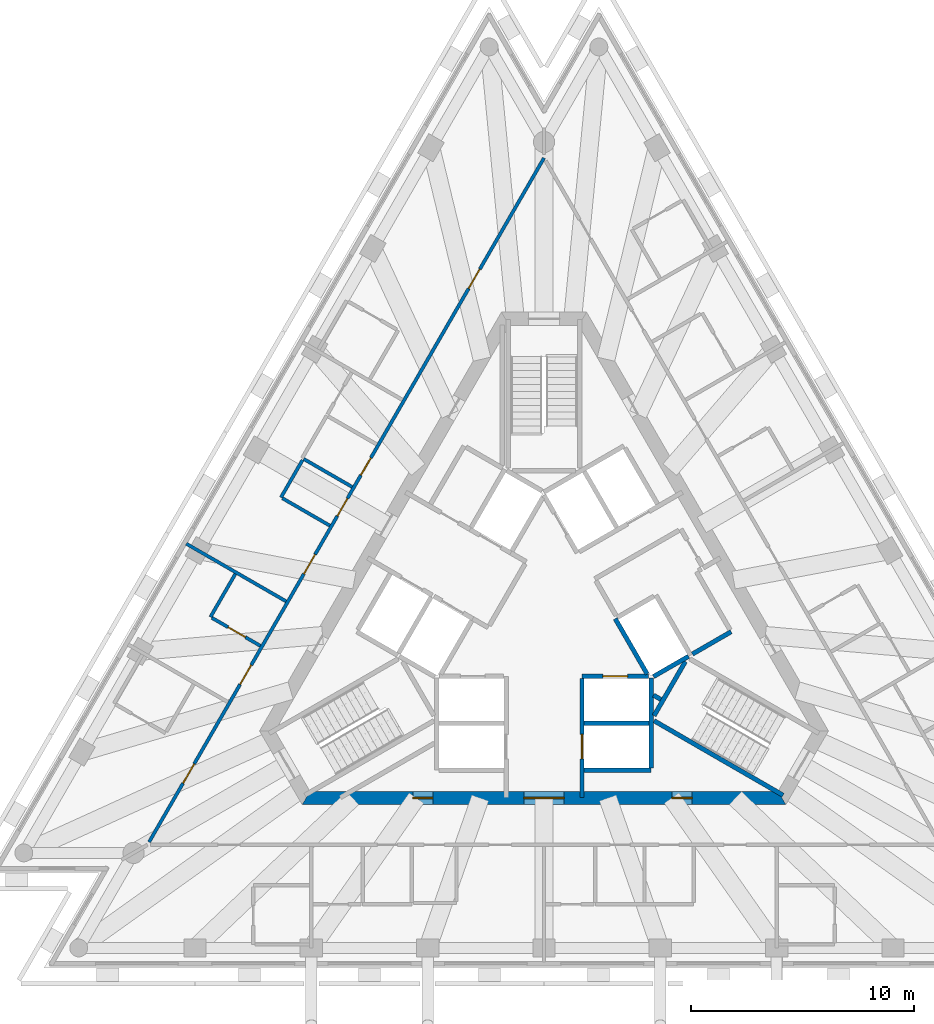
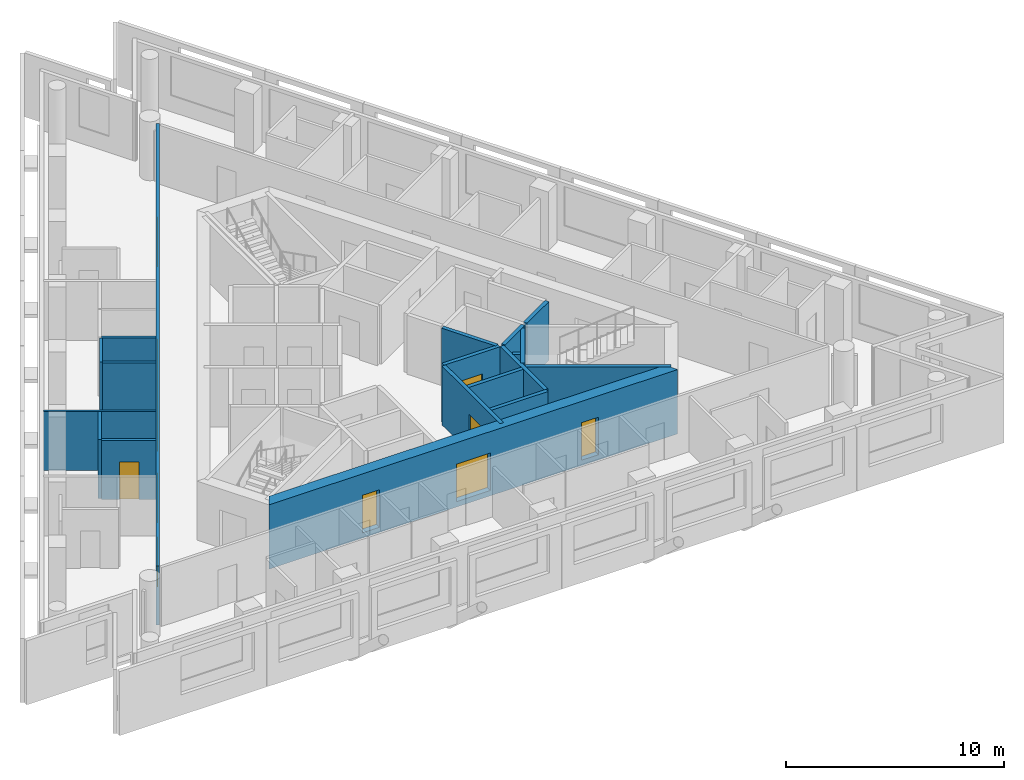
# One storey, part 4 of 10: 19 walls, 12 doors, 12 openings.
"""IFC4 building model written with IfcOpenShell, lengths in metres."""

from ifc_helpers import new_model, si_unit, direction, frame, frame_2d, origin, place, context, subcontext, project, spatial, polyline, rectangle, outline, extrude, material, layer, layer_set, type_object, element, fill, save


model = new_model("IFC4")

# Units and contexts
model_context = context("Model", 3, precision=1e-05, world=origin(), true_north=direction((0.0, 1.0)))
body_context = subcontext(model_context, "Body", "Model", "MODEL_VIEW")
ifc_project = project(units=[si_unit("LENGTHUNIT", "METRE"), si_unit("AREAUNIT", "SQUARE_METRE"), si_unit("VOLUMEUNIT", "CUBIC_METRE"), si_unit("PLANEANGLEUNIT", "RADIAN"), si_unit("MASSUNIT", "GRAM", prefix="KILO")], contexts=[model_context])

# Site, building, storey
site_placement = place(None, origin())
site = spatial("IfcSite", under=ifc_project, at=site_placement, CompositionType="ELEMENT")
building_placement = place(site_placement, origin())
building = spatial("IfcBuilding", under=site, at=building_placement, Name="Triada Interchange Tower", CompositionType="ELEMENT")
storey_placement = place(building_placement, frame((0.0, 0.0, 318.699951171875)))
storey = spatial("IfcBuildingStorey", under=building, at=storey_placement, Name="L76", CompositionType="ELEMENT", Elevation=318.699951171875)

# Walls
ifc_material_1 = material(Name="Concrete C30/37", Category="concrete")
ifc_layer_1 = layer(ifc_material_1, 0.199951171875)
ifc_layer_set_1 = layer_set([ifc_layer_1], Name="CORE WALL 200 EI 120")
wall_type_1 = type_object("IfcWallType", Name="CORE WALL 200 EI 120", PredefinedType="SOLIDWALL", material=ifc_layer_set_1)
wall_1_placement = place(storey_placement, frame((1.800048828125, -6.89990234375, 0.0), z_axis=(0.0, 0.0, 1.0), x_axis=(1.0, 0.0, 0.0)))
element("IfcWall", 1, at=wall_1_placement, inside=storey, type_object=wall_type_1, Name="Wall L74 68", PredefinedType="SOLIDWALL", context=body_context, shape_type="SweptSolid", body=[
    extrude(rectangle(XDim=3.0, YDim=0.199951171875, at=frame_2d((1.5, 0.0))), origin(), (0.0, 0.0, 1.0), 3.300048828125),
])
wall_2_placement = place(storey_placement, frame((1.800048828125, -4.800048828125, 0.0), z_axis=(0.0, 0.0, 1.0), x_axis=(1.0, 0.0, 0.0)))
element("IfcWall", 2, at=wall_2_placement, inside=storey, type_object=wall_type_1, Name="Wall L74 70", PredefinedType="SOLIDWALL", context=body_context, shape_type="SweptSolid", body=[
    extrude(rectangle(XDim=2.89990234375, YDim=0.199951171875, at=frame_2d((1.449951171875, 0.0))), origin(), (0.0, 0.0, 1.0), 3.300048828125),
])

# Wall, opening, door
wall_3_placement = place(storey_placement, frame((1.702880859375, -2.699951171875, 0.0), z_axis=(0.0, 0.0, 1.0), x_axis=(1.0, 0.0, 0.0)))
wall_3 = element("IfcWall", 3, at=wall_3_placement, inside=storey, type_object=wall_type_1, Name="Wall L74 73", PredefinedType="SOLIDWALL", context=body_context, shape_type="SweptSolid", body=[
    extrude(rectangle(XDim=2.97314453125, YDim=0.199951171875, at=frame_2d((1.486572265625, 0.0))), origin(), (0.0, 0.0, 1.0), 3.300048828125),
])
opening_1_placement = place(wall_3_placement, frame((0.93603515625, 0.0, 0.0)))
opening_1 = element("IfcOpeningElement", 4, at=opening_1_placement, cuts=wall_3, Name="Opening LD-HR1", PredefinedType="OPENING", context=body_context, shape_type="SweptSolid", body=[
    extrude(rectangle(XDim=1.10009765625, YDim=2.10009765625, at=frame_2d((0.550048828125, 1.050048828125))), frame((0.0, 0.10986328125, 0.0), z_axis=(0.0, -1.0, 0.0), x_axis=(1.0, 0.0, 0.0)), (0.0, 0.0, 1.0), 0.219970703125),
])
ifc_material_2 = material(Name="Steel S235 door leaf", Category="steel")
door_type_1 = type_object("IfcDoorType", Name="LIFT LANDING DOOR 1100 EI 120", OperationType="SLIDING_TO_LEFT", PredefinedType="DOOR", material=ifc_material_2)
door_1_placement = place(opening_1_placement, origin())
door_1 = element("IfcDoor", 5, at=door_1_placement, inside=storey, type_object=door_type_1, Name="HR1 landing door L76", OperationType="SLIDING_TO_LEFT", OverallHeight=2.10009765625, OverallWidth=1.10009765625, PredefinedType="DOOR", context=body_context, shape_type="SweptSolid", body=[
    extrude(rectangle(XDim=1.10009765625, YDim=2.10009765625, at=frame_2d((0.550048828125, 1.050048828125))), frame((0.0, 0.02490234375, 0.0), z_axis=(0.0, -1.0, 0.0), x_axis=(1.0, 0.0, 0.0)), (0.0, 0.0, 1.0), 0.050048828125),
])
fill(opening_1, door_1)

# Wall
wall_4_placement = place(storey_placement, frame((3.18994140625, -0.125, 0.0), z_axis=(0.0, 0.0, 1.0), x_axis=(0.499988658015, -0.866031951983, 0.0)))
element("IfcWall", 6, at=wall_4_placement, inside=storey, type_object=wall_type_1, Name="Wall L74 76", PredefinedType="SOLIDWALL", context=body_context, shape_type="SweptSolid", body=[
    extrude(rectangle(XDim=2.85791015625, YDim=0.199951171875, at=frame_2d((1.428955078125, 0.0))), origin(), (0.0, 0.0, 1.0), 3.300048828125),
])

# Wall, opening, door
wall_5_placement = place(storey_placement, frame((1.699951171875, -8.1298828125, 0.0), z_axis=(0.0, 0.0, 1.0), x_axis=(0.0, 1.0, 0.0)))
wall_5 = element("IfcWall", 7, at=wall_5_placement, inside=storey, type_object=wall_type_1, Name="Wall L74 78", PredefinedType="SOLIDWALL", context=body_context, shape_type="SweptSolid", body=[
    extrude(rectangle(XDim=5.326904296875, YDim=0.199951171875, at=frame_2d((2.66357421875, 0.0))), origin(), (0.0, 0.0, 1.0), 3.300048828125),
])
opening_2_placement = place(wall_5_placement, frame((1.72998046875, 0.0, 0.0)))
opening_2 = element("IfcOpeningElement", 8, at=opening_2_placement, cuts=wall_5, Name="Opening LD-HR2", PredefinedType="OPENING", context=body_context, shape_type="SweptSolid", body=[
    extrude(rectangle(XDim=1.10009765625, YDim=2.10009765625, at=frame_2d((0.550048828125, 1.050048828125))), frame((0.0, 0.10986328125, 0.0), z_axis=(0.0, -1.0, 0.0), x_axis=(1.0, 0.0, 0.0)), (0.0, 0.0, 1.0), 0.219970703125),
])
door_2_placement = place(opening_2_placement, origin())
door_2 = element("IfcDoor", 9, at=door_2_placement, inside=storey, type_object=door_type_1, Name="HR2 landing door L76", OperationType="SLIDING_TO_LEFT", OverallHeight=2.10009765625, OverallWidth=1.10009765625, PredefinedType="DOOR", context=body_context, shape_type="SweptSolid", body=[
    extrude(rectangle(XDim=1.10009765625, YDim=2.10009765625, at=frame_2d((0.550048828125, 1.050048828125))), frame((0.0, 0.02490234375, 0.0), z_axis=(0.0, -1.0, 0.0), x_axis=(1.0, 0.0, 0.0)), (0.0, 0.0, 1.0), 0.050048828125),
])
fill(opening_2, door_2)

# Walls
wall_6_placement = place(storey_placement, frame((4.800048828125, -6.800048828125, 0.0), z_axis=(0.0, 0.0, 1.0), x_axis=(0.0, 1.0, 0.0)))
element("IfcWall", 10, at=wall_6_placement, inside=storey, type_object=wall_type_1, Name="Wall L74 79", PredefinedType="SOLIDWALL", context=body_context, shape_type="SweptSolid", body=[
    extrude(rectangle(XDim=4.029052734375, YDim=0.199951171875, at=frame_2d((2.0146484375, 0.0))), origin(), (0.0, 0.0, 1.0), 3.300048828125),
])
wall_7_placement = place(storey_placement, frame((4.89990234375, -2.714111328125, 0.0), z_axis=(0.0, 0.0, 1.0), x_axis=(0.865846928409, 0.500309001083, 0.0)))
element("IfcWall", 11, at=wall_7_placement, inside=storey, type_object=wall_type_1, Name="Wall L74 88", PredefinedType="SOLIDWALL", context=body_context, shape_type="SweptSolid", body=[
    extrude(rectangle(XDim=1.813232421875, YDim=0.199951171875, at=frame_2d((0.90673828125, 0.0))), origin(), (0.0, 0.0, 1.0), 3.300048828125),
])
ifc_layer_2 = layer(ifc_material_1, 0.199951171875)
ifc_layer_set_2 = layer_set([ifc_layer_2], Name="CORE WALL 200 EI 90")
wall_type_2 = type_object("IfcWallType", Name="CORE WALL 200 EI 90", PredefinedType="SOLIDWALL", material=ifc_layer_set_2)
wall_8_placement = place(storey_placement, frame((4.89990234375, -3.5458984375, 0.0), z_axis=(0.0, 0.0, 1.0), x_axis=(0.865527936036, -0.500860651221, 0.0)))
element("IfcWall", 12, at=wall_8_placement, inside=storey, type_object=wall_type_2, Name="Wall L74 106", PredefinedType="SOLIDWALL", context=body_context, shape_type="SweptSolid", body=[
    extrude(rectangle(XDim=0.383544921875, YDim=0.199951171875, at=frame_2d((0.19189453125, 0.0))), origin(), (0.0, 0.0, 1.0), 3.300048828125),
])
wall_9_placement = place(storey_placement, frame((6.64208984375, -1.7080078125, 0.0), z_axis=(0.0, 0.0, 1.0), x_axis=(0.866043441391, 0.499968756647, 0.0)))
element("IfcWall", 13, at=wall_9_placement, inside=storey, type_object=wall_type_2, Name="Wall L74 107", PredefinedType="SOLIDWALL", context=body_context, shape_type="SweptSolid", body=[
    extrude(rectangle(XDim=2.002197265625, YDim=0.199951171875, at=frame_2d((1.0009765625, 0.0))), origin(), (0.0, 0.0, 1.0), 3.300048828125),
])
ifc_layer_3 = layer(ifc_material_1, 0.199951171875)
ifc_layer_set_3 = layer_set([ifc_layer_3], Name="CORE WALL 200 REI 240")
wall_type_3 = type_object("IfcWallType", Name="CORE WALL 200 REI 240", PredefinedType="SOLIDWALL", material=ifc_layer_set_3)
wall_10_placement = place(storey_placement, frame((4.928955078125, -4.4619140625, 0.0), z_axis=(0.0, 0.0, 1.0), x_axis=(0.500200581029, 0.865909567298, 0.0)))
element("IfcWall", 14, at=wall_10_placement, inside=storey, type_object=wall_type_3, Name="Wall L74 116", PredefinedType="SOLIDWALL", context=body_context, shape_type="SweptSolid", body=[
    extrude(rectangle(XDim=2.799072265625, YDim=0.199951171875, at=frame_2d((1.3994140625, 0.0))), origin(), (0.0, 0.0, 1.0), 3.300048828125),
])
wall_11_placement = place(storey_placement, frame((4.928955078125, -4.693115234375, 0.0), z_axis=(0.0, 0.0, 1.0), x_axis=(0.866005022404, -0.500035299925, 0.0)))
element("IfcWall", 15, at=wall_11_placement, inside=storey, type_object=wall_type_3, Name="Wall L74 118", PredefinedType="SOLIDWALL", context=body_context, shape_type="SweptSolid", body=[
    extrude(rectangle(XDim=6.6650390625, YDim=0.199951171875, at=frame_2d((3.33251953125, 0.0))), origin(), (0.0, 0.0, 1.0), 3.300048828125),
])

# Wall, openings, doors
ifc_material_3 = material(Name="Concrete C40/50", Category="concrete")
ifc_layer_4 = layer(ifc_material_3, 0.60009765625)
ifc_layer_set_4 = layer_set([ifc_layer_4], Name="Core wall D 600")
wall_type_4 = type_object("IfcWallType", Name="Core wall D 600", PredefinedType="SHEAR", material=ifc_layer_set_4)
wall_12_placement = place(storey_placement, frame((-10.652099609375, -8.14990234375, -0.300048828125), z_axis=(0.0, 0.0, 1.0), x_axis=(1.0, 0.0, 0.0)))
wall_12 = element("IfcWall", 16, at=wall_12_placement, inside=storey, type_object=wall_type_4, Name="Core wall WD04 L76", PredefinedType="SHEAR", context=body_context, shape_type="SweptSolid", body=[
    extrude(outline(polyline([(-0.173095703125, -0.300048828125), (1.795166015625, -0.300048828125), (3.76318359375, -0.300048828125), (5.7314453125, -0.300048828125), (7.69970703125, -0.300048828125), (9.66796875, -0.300048828125), (11.635986328125, -0.300048828125), (13.604248046875, -0.300048828125), (15.572509765625, -0.300048828125), (17.540771484375, -0.300048828125), (19.5087890625, -0.300048828125), (21.47705078125, -0.300048828125), (21.131103515625, 0.300048828125), (19.225830078125, 0.300048828125), (17.320556640625, 0.300048828125), (15.415283203125, 0.300048828125), (13.510009765625, 0.300048828125), (11.604736328125, 0.300048828125), (9.699462890625, 0.300048828125), (7.794189453125, 0.300048828125), (5.888916015625, 0.300048828125), (3.983642578125, 0.300048828125), (2.078369140625, 0.300048828125), (0.173095703125, 0.300048828125), (-0.173095703125, -0.300048828125)])), origin(), (0.0, 0.0, 1.0), 3.60009765625),
])
opening_3_placement = place(wall_12_placement, frame((9.751953125, 0.0, 0.300048828125)))
opening_3 = element("IfcOpeningElement", 17, at=opening_3_placement, cuts=wall_12, Name="Opening D74-45", PredefinedType="OPENING", context=body_context, shape_type="SweptSolid", body=[
    extrude(rectangle(XDim=1.800048828125, YDim=2.10009765625, at=frame_2d((0.89990234375, 1.050048828125))), frame((0.0, 0.31005859375, 0.0), z_axis=(0.0, -1.0, 0.0), x_axis=(1.0, 0.0, 0.0)), (0.0, 0.0, 1.0), 0.6201171875),
])
opening_4_placement = place(wall_12_placement, frame((4.777099609375, 0.0, 0.300048828125)))
opening_4 = element("IfcOpeningElement", 18, at=opening_4_placement, cuts=wall_12, Name="Opening D74-51", PredefinedType="OPENING", context=body_context, shape_type="SweptSolid", body=[
    extrude(rectangle(XDim=0.89990234375, YDim=2.10009765625, at=frame_2d((0.449951171875, 1.050048828125))), frame((0.0, 0.31005859375, 0.0), z_axis=(0.0, -1.0, 0.0), x_axis=(1.0, 0.0, 0.0)), (0.0, 0.0, 1.0), 0.6201171875),
])
opening_5_placement = place(wall_12_placement, frame((16.3779296875, 0.0, 0.300048828125)))
opening_5 = element("IfcOpeningElement", 19, at=opening_5_placement, cuts=wall_12, Name="Opening D74-54", PredefinedType="OPENING", context=body_context, shape_type="SweptSolid", body=[
    extrude(rectangle(XDim=0.89990234375, YDim=2.10009765625, at=frame_2d((0.449951171875, 1.050048828125))), frame((0.0, 0.31005859375, 0.0), z_axis=(0.0, -1.0, 0.0), x_axis=(1.0, 0.0, 0.0)), (0.0, 0.0, 1.0), 0.6201171875),
])
door_type_2 = type_object("IfcDoorType", Name="LOBBY DOOR 1800 EI2 90-C5S200", OperationType="DOUBLE_DOOR_SINGLE_SWING", PredefinedType="DOOR", material=ifc_material_2)
door_3_placement = place(opening_3_placement, origin())
door_3 = element("IfcDoor", 20, at=door_3_placement, inside=storey, type_object=door_type_2, Name="Door D74-45 L76", OperationType="DOUBLE_DOOR_SINGLE_SWING", OverallHeight=2.10009765625, OverallWidth=1.800048828125, PredefinedType="DOOR", context=body_context, shape_type="SweptSolid", body=[
    extrude(rectangle(XDim=1.800048828125, YDim=2.10009765625, at=frame_2d((0.89990234375, 1.050048828125))), frame((0.0, 0.02490234375, 0.0), z_axis=(0.0, -1.0, 0.0), x_axis=(1.0, 0.0, 0.0)), (0.0, 0.0, 1.0), 0.050048828125),
])
fill(opening_3, door_3)
door_type_3 = type_object("IfcDoorType", Name="RISER ACCESS DOOR 900 EI2 45-C5S200", OperationType="NOTDEFINED", PredefinedType="DOOR", material=ifc_material_2)
door_4_placement = place(opening_4_placement, origin())
door_4 = element("IfcDoor", 21, at=door_4_placement, inside=storey, type_object=door_type_3, Name="Door D74-51 L76", OperationType="SINGLE_SWING_RIGHT", OverallHeight=2.10009765625, OverallWidth=0.89990234375, PredefinedType="DOOR", context=body_context, shape_type="SweptSolid", body=[
    extrude(rectangle(XDim=0.89990234375, YDim=2.10009765625, at=frame_2d((0.449951171875, 1.050048828125))), frame((0.0, 0.02490234375, 0.0), z_axis=(0.0, -1.0, 0.0), x_axis=(1.0, 0.0, 0.0)), (0.0, 0.0, 1.0), 0.050048828125),
])
fill(opening_4, door_4)
door_type_4 = type_object("IfcDoorType", Name="SERVICE DOOR 900 EI2 45-C5S200", OperationType="NOTDEFINED", PredefinedType="DOOR", material=ifc_material_2)
door_5_placement = place(opening_5_placement, origin())
door_5 = element("IfcDoor", 22, at=door_5_placement, inside=storey, type_object=door_type_4, Name="Door D74-54 L76", OperationType="SINGLE_SWING_RIGHT", OverallHeight=2.10009765625, OverallWidth=0.89990234375, PredefinedType="DOOR", context=body_context, shape_type="SweptSolid", body=[
    extrude(rectangle(XDim=0.89990234375, YDim=2.10009765625, at=frame_2d((0.449951171875, 1.050048828125))), frame((0.0, 0.02490234375, 0.0), z_axis=(0.0, -1.0, 0.0), x_axis=(1.0, 0.0, 0.0)), (0.0, 0.0, 1.0), 0.050048828125),
])
fill(opening_5, door_5)

ifc_material_4 = material(Name="Gypsum board partition")
ifc_layer_5 = layer(ifc_material_4, 0.14990234375)
ifc_layer_set_5 = layer_set([ifc_layer_5], Name="PARTITION 150 EI 180")
wall_type_5 = type_object("IfcWallType", Name="PARTITION 150 EI 180", PredefinedType="PARTITIONING", material=ifc_layer_set_5)
wall_13_placement = place(storey_placement, frame((-17.677978515625, -10.1201171875, 0.0), z_axis=(0.0, 0.0, 1.0), x_axis=(0.49998824015, 0.86603219323, 0.0)))
wall_13 = element("IfcWall", 23, at=wall_13_placement, inside=storey, type_object=wall_type_5, Name="Wall L74 4", PredefinedType="PARTITIONING", context=body_context, shape_type="SweptSolid", body=[
    extrude(rectangle(XDim=35.356689453125, YDim=0.14990234375, at=frame_2d((17.67822265625, 0.0))), origin(), (0.0, 0.0, 1.0), 3.300048828125),
])
opening_6_placement = place(wall_13_placement, frame((28.60693359375, 0.0, 0.0)))
opening_6 = element("IfcOpeningElement", 24, at=opening_6_placement, cuts=wall_13, Name="Opening D74-35", PredefinedType="OPENING", context=body_context, shape_type="SweptSolid", body=[
    extrude(rectangle(XDim=1.0, YDim=2.10009765625, at=frame_2d((0.5, 1.050048828125))), frame((0.0, 0.0849609375, 0.0), z_axis=(0.0, -1.0, 0.0), x_axis=(1.0, 0.0, 0.0)), (0.0, 0.0, 1.0), 0.169921875),
])
opening_7_placement = place(wall_13_placement, frame((13.860107421875, 0.0, 0.0)))
opening_7 = element("IfcOpeningElement", 25, at=opening_7_placement, cuts=wall_13, Name="Opening D74-37", PredefinedType="OPENING", context=body_context, shape_type="SweptSolid", body=[
    extrude(rectangle(XDim=1.0, YDim=2.10009765625, at=frame_2d((0.5, 1.050048828125))), frame((0.0, 0.0849609375, 0.0), z_axis=(0.0, -1.0, 0.0), x_axis=(1.0, 0.0, 0.0)), (0.0, 0.0, 1.0), 0.169921875),
])
opening_8_placement = place(wall_13_placement, frame((18.9599609375, 0.0, 0.0)))
opening_8 = element("IfcOpeningElement", 26, at=opening_8_placement, cuts=wall_13, Name="Opening D74-39", PredefinedType="OPENING", context=body_context, shape_type="SweptSolid", body=[
    extrude(rectangle(XDim=0.89990234375, YDim=2.10009765625, at=frame_2d((0.449951171875, 1.050048828125))), frame((0.0, 0.0849609375, 0.0), z_axis=(0.0, -1.0, 0.0), x_axis=(1.0, 0.0, 0.0)), (0.0, 0.0, 1.0), 0.169921875),
])
opening_9_placement = place(wall_13_placement, frame((16.860107421875, 0.0, 0.0)))
opening_9 = element("IfcOpeningElement", 27, at=opening_9_placement, cuts=wall_13, Name="Opening D74-40", PredefinedType="OPENING", context=body_context, shape_type="SweptSolid", body=[
    extrude(rectangle(XDim=0.89990234375, YDim=2.10009765625, at=frame_2d((0.449951171875, 1.050048828125))), frame((0.0, 0.0849609375, 0.0), z_axis=(0.0, -1.0, 0.0), x_axis=(1.0, 0.0, 0.0)), (0.0, 0.0, 1.0), 0.169921875),
])
opening_10_placement = place(wall_13_placement, frame((8.14599609375, 0.0, 0.0)))
opening_10 = element("IfcOpeningElement", 28, at=opening_10_placement, cuts=wall_13, Name="Opening D74-41", PredefinedType="OPENING", context=body_context, shape_type="SweptSolid", body=[
    extrude(rectangle(XDim=1.0, YDim=2.10009765625, at=frame_2d((0.5, 1.050048828125))), frame((0.0, 0.0849609375, 0.0), z_axis=(0.0, -1.0, 0.0), x_axis=(1.0, 0.0, 0.0)), (0.0, 0.0, 1.0), 0.169921875),
])
opening_11_placement = place(wall_13_placement, frame((3.0380859375, 0.0, 0.0)))
opening_11 = element("IfcOpeningElement", 29, at=opening_11_placement, cuts=wall_13, Name="Opening D74-43", PredefinedType="OPENING", context=body_context, shape_type="SweptSolid", body=[
    extrude(rectangle(XDim=1.0, YDim=2.10009765625, at=frame_2d((0.5, 1.050048828125))), frame((0.0, 0.0849609375, 0.0), z_axis=(0.0, -1.0, 0.0), x_axis=(1.0, 0.0, 0.0)), (0.0, 0.0, 1.0), 0.169921875),
])
door_type_5 = type_object("IfcDoorType", Name="GUEST ROOM DOOR 1000 EI2 90-C5S200", OperationType="NOTDEFINED", PredefinedType="DOOR", material=ifc_material_2)
door_6_placement = place(opening_6_placement, origin())
door_6 = element("IfcDoor", 30, at=door_6_placement, inside=storey, type_object=door_type_5, Name="Door D74-35 L76", OperationType="SINGLE_SWING_RIGHT", OverallHeight=2.10009765625, OverallWidth=1.0, PredefinedType="DOOR", context=body_context, shape_type="SweptSolid", body=[
    extrude(rectangle(XDim=1.0, YDim=2.10009765625, at=frame_2d((0.5, 1.050048828125))), frame((0.0, 0.02490234375, 0.0), z_axis=(0.0, -1.0, 0.0), x_axis=(1.0, 0.0, 0.0)), (0.0, 0.0, 1.0), 0.050048828125),
])
fill(opening_6, door_6)
door_7_placement = place(opening_7_placement, origin())
door_7 = element("IfcDoor", 31, at=door_7_placement, inside=storey, type_object=door_type_5, Name="Door D74-37 L76", OperationType="SINGLE_SWING_LEFT", OverallHeight=2.10009765625, OverallWidth=1.0, PredefinedType="DOOR", context=body_context, shape_type="SweptSolid", body=[
    extrude(rectangle(XDim=1.0, YDim=2.10009765625, at=frame_2d((0.5, 1.050048828125))), frame((0.0, 0.02490234375, 0.0), z_axis=(0.0, -1.0, 0.0), x_axis=(1.0, 0.0, 0.0)), (0.0, 0.0, 1.0), 0.050048828125),
])
fill(opening_7, door_7)
door_8_placement = place(opening_10_placement, origin())
door_8 = element("IfcDoor", 32, at=door_8_placement, inside=storey, type_object=door_type_5, Name="Door D74-41 L76", OperationType="SINGLE_SWING_LEFT", OverallHeight=2.10009765625, OverallWidth=1.0, PredefinedType="DOOR", context=body_context, shape_type="SweptSolid", body=[
    extrude(rectangle(XDim=1.0, YDim=2.10009765625, at=frame_2d((0.5, 1.050048828125))), frame((0.0, 0.02490234375, 0.0), z_axis=(0.0, -1.0, 0.0), x_axis=(1.0, 0.0, 0.0)), (0.0, 0.0, 1.0), 0.050048828125),
])
fill(opening_10, door_8)
door_9_placement = place(opening_11_placement, origin())
door_9 = element("IfcDoor", 33, at=door_9_placement, inside=storey, type_object=door_type_5, Name="Door D74-43 L76", OperationType="SINGLE_SWING_LEFT", OverallHeight=2.10009765625, OverallWidth=1.0, PredefinedType="DOOR", context=body_context, shape_type="SweptSolid", body=[
    extrude(rectangle(XDim=1.0, YDim=2.10009765625, at=frame_2d((0.5, 1.050048828125))), frame((0.0, 0.02490234375, 0.0), z_axis=(0.0, -1.0, 0.0), x_axis=(1.0, 0.0, 0.0)), (0.0, 0.0, 1.0), 0.050048828125),
])
fill(opening_11, door_9)
door_type_6 = type_object("IfcDoorType", Name="ROOM DOOR 900 EI2 90-C5S200", OperationType="NOTDEFINED", PredefinedType="DOOR", material=ifc_material_2)
door_10_placement = place(opening_9_placement, origin())
door_10 = element("IfcDoor", 34, at=door_10_placement, inside=storey, type_object=door_type_6, Name="Door D74-40 L76", OperationType="SINGLE_SWING_RIGHT", OverallHeight=2.10009765625, OverallWidth=0.89990234375, PredefinedType="DOOR", context=body_context, shape_type="SweptSolid", body=[
    extrude(rectangle(XDim=0.89990234375, YDim=2.10009765625, at=frame_2d((0.449951171875, 1.050048828125))), frame((0.0, 0.02490234375, 0.0), z_axis=(0.0, -1.0, 0.0), x_axis=(1.0, 0.0, 0.0)), (0.0, 0.0, 1.0), 0.050048828125),
])
fill(opening_9, door_10)
door_type_7 = type_object("IfcDoorType", Name="SERVICE DOOR 900 EI2 90-C5S200", OperationType="NOTDEFINED", PredefinedType="DOOR", material=ifc_material_2)
door_11_placement = place(opening_8_placement, origin())
door_11 = element("IfcDoor", 35, at=door_11_placement, inside=storey, type_object=door_type_7, Name="Door D74-39 L76", OperationType="SINGLE_SWING_LEFT", OverallHeight=2.10009765625, OverallWidth=0.89990234375, PredefinedType="DOOR", context=body_context, shape_type="SweptSolid", body=[
    extrude(rectangle(XDim=0.89990234375, YDim=2.10009765625, at=frame_2d((0.449951171875, 1.050048828125))), frame((0.0, 0.02490234375, 0.0), z_axis=(0.0, -1.0, 0.0), x_axis=(1.0, 0.0, 0.0)), (0.0, 0.0, 1.0), 0.050048828125),
])
fill(opening_8, door_11)

# Walls
wall_14_placement = place(storey_placement, frame((-16.011962890625, 3.23193359375, 0.0), z_axis=(0.0, 0.0, 1.0), x_axis=(0.86604134632, -0.499972385701, 0.0)))
element("IfcWall", 36, at=wall_14_placement, inside=storey, type_object=wall_type_5, Name="Wall L74 6", PredefinedType="PARTITIONING", context=body_context, shape_type="SweptSolid", body=[
    extrude(rectangle(XDim=5.157958984375, YDim=0.14990234375, at=frame_2d((2.5791015625, 0.0))), origin(), (0.0, 0.0, 1.0), 3.300048828125),
])
wall_15_placement = place(storey_placement, frame((-10.759033203125, 7.028076171875, 0.0), z_axis=(0.0, 0.0, 1.0), x_axis=(0.866083422639, -0.499899494929, 0.0)))
element("IfcWall", 37, at=wall_15_placement, inside=storey, type_object=wall_type_5, Name="Wall L74 9", PredefinedType="PARTITIONING", context=body_context, shape_type="SweptSolid", body=[
    extrude(rectangle(XDim=2.5068359375, YDim=0.14990234375, at=frame_2d((1.25341796875, 0.0))), origin(), (0.0, 0.0, 1.0), 3.300048828125),
])
wall_16_placement = place(storey_placement, frame((-11.77490234375, 5.304931640625, 0.0), z_axis=(0.0, 0.0, 1.0), x_axis=(0.49995654735, 0.86605048973, 0.0)))
element("IfcWall", 38, at=wall_16_placement, inside=storey, type_object=wall_type_5, Name="Wall L74 10", PredefinedType="PARTITIONING", context=body_context, shape_type="SweptSolid", body=[
    extrude(rectangle(XDim=1.926025390625, YDim=0.14990234375, at=frame_2d((0.962890625, 0.0))), origin(), (0.0, 0.0, 1.0), 3.300048828125),
])
wall_17_placement = place(storey_placement, frame((-11.7099609375, 5.26806640625, 0.0), z_axis=(0.0, 0.0, 1.0), x_axis=(0.8660395779, -0.499975448907, 0.0)))
element("IfcWall", 39, at=wall_17_placement, inside=storey, type_object=wall_type_5, Name="Wall L74 11", PredefinedType="PARTITIONING", context=body_context, shape_type="SweptSolid", body=[
    extrude(rectangle(XDim=2.4501953125, YDim=0.14990234375, at=frame_2d((1.22509765625, 0.0))), origin(), (0.0, 0.0, 1.0), 3.300048828125),
])
ifc_layer_6 = layer(ifc_material_4, 0.14990234375)
ifc_layer_set_6 = layer_set([ifc_layer_6], Name="PARTITION 150 EI 90")
wall_type_6 = type_object("IfcWallType", Name="PARTITION 150 EI 90", PredefinedType="PARTITIONING", material=ifc_layer_set_6)
wall_18_placement = place(storey_placement, frame((-14.930908203125, -0.048095703125, 0.0), z_axis=(0.0, 0.0, 1.0), x_axis=(0.500080171303, 0.865979111913, 0.0)))
element("IfcWall", 40, at=wall_18_placement, inside=storey, type_object=wall_type_6, Name="Wall L74 36", PredefinedType="PARTITIONING", context=body_context, shape_type="SweptSolid", body=[
    extrude(rectangle(XDim=2.225341796875, YDim=0.14990234375, at=frame_2d((1.11279296875, 0.0))), origin(), (0.0, 0.0, 1.0), 3.300048828125),
])

# Wall, opening, door
wall_19_placement = place(storey_placement, frame((-14.865966796875, -0.0849609375, 0.0), z_axis=(0.0, 0.0, 1.0), x_axis=(0.865890381195, -0.500233793095, 0.0)))
wall_19 = element("IfcWall", 41, at=wall_19_placement, inside=storey, type_object=wall_type_6, Name="Wall L74 38", PredefinedType="PARTITIONING", context=body_context, shape_type="SweptSolid", body=[
    extrude(rectangle(XDim=2.507080078125, YDim=0.14990234375, at=frame_2d((1.25341796875, 0.0))), origin(), (0.0, 0.0, 1.0), 3.300048828125),
])
opening_12_placement = place(wall_19_placement, frame((0.83203125, 0.0, 0.0)))
opening_12 = element("IfcOpeningElement", 42, at=opening_12_placement, cuts=wall_19, Name="Opening D74-42", PredefinedType="OPENING", context=body_context, shape_type="SweptSolid", body=[
    extrude(rectangle(XDim=0.89990234375, YDim=2.10009765625, at=frame_2d((0.449951171875, 1.050048828125))), frame((0.0, 0.0849609375, 0.0), z_axis=(0.0, -1.0, 0.0), x_axis=(1.0, 0.0, 0.0)), (0.0, 0.0, 1.0), 0.169921875),
])
door_type_8 = type_object("IfcDoorType", Name="ROOM DOOR 900 EI2 45-C5S200", OperationType="NOTDEFINED", PredefinedType="DOOR", material=ifc_material_2)
door_12_placement = place(opening_12_placement, origin())
door_12 = element("IfcDoor", 43, at=door_12_placement, inside=storey, type_object=door_type_8, Name="Door D74-42 L76", OperationType="SINGLE_SWING_RIGHT", OverallHeight=2.10009765625, OverallWidth=0.89990234375, PredefinedType="DOOR", context=body_context, shape_type="SweptSolid", body=[
    extrude(rectangle(XDim=0.89990234375, YDim=2.10009765625, at=frame_2d((0.449951171875, 1.050048828125))), frame((0.0, 0.02490234375, 0.0), z_axis=(0.0, -1.0, 0.0), x_axis=(1.0, 0.0, 0.0)), (0.0, 0.0, 1.0), 0.050048828125),
])
fill(opening_12, door_12)

save(model, "model.ifc")
